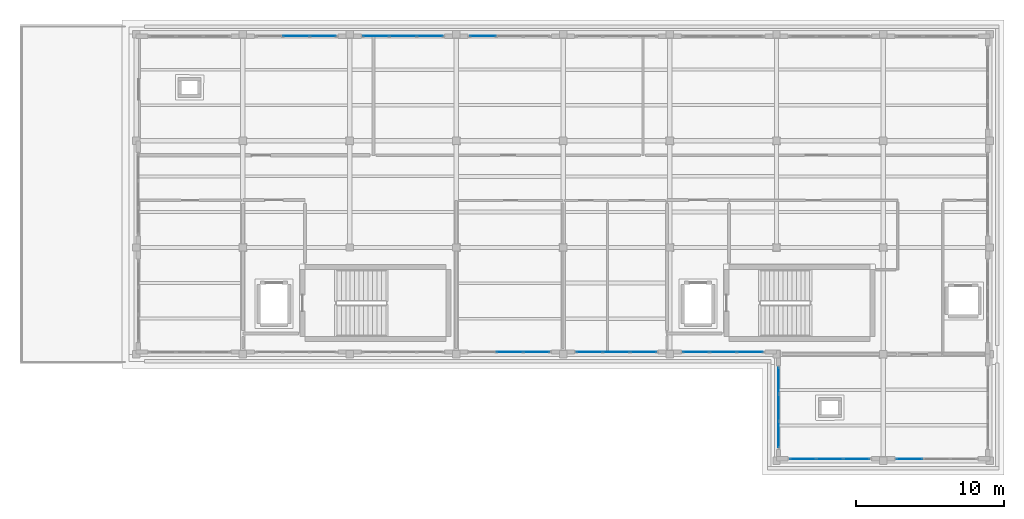
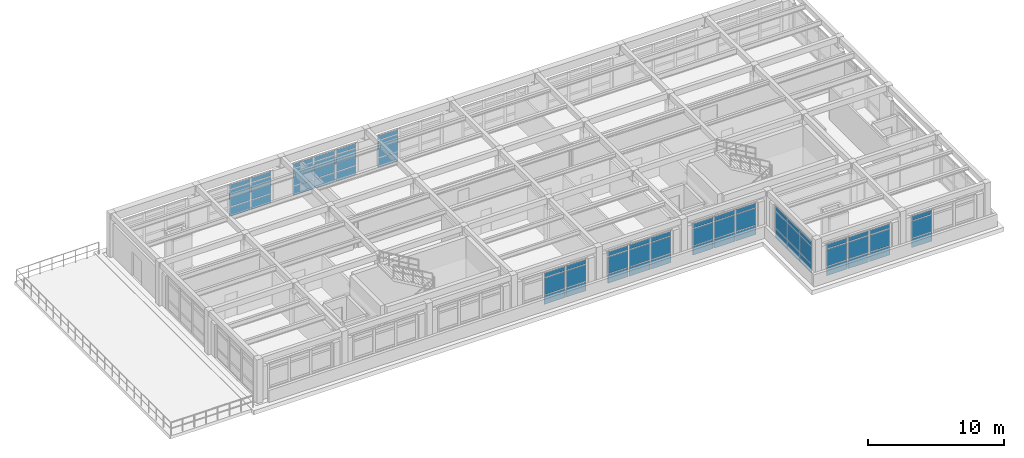
# One storey, part 11 of 18: 63 plates, 9 elements without a shape of their own.
"""IFC4 building model written with IfcOpenShell, lengths in metres."""

from ifc_helpers import new_model, si_unit, direction, frame, origin, origin_2d, place, context, subcontext, project, spatial, rectangle, extrude, material, layer, layer_set, type_object, element, aggregate, save


model = new_model("IFC4")

# Units and contexts
model_context = context("Model", 3, precision=1e-05, world=origin(), true_north=direction((0.0, 1.0)))
body_context = subcontext(model_context, "Body", "Model", "MODEL_VIEW")
ifc_project = project(units=[si_unit("LENGTHUNIT", "METRE"), si_unit("AREAUNIT", "SQUARE_METRE"), si_unit("VOLUMEUNIT", "CUBIC_METRE"), si_unit("PLANEANGLEUNIT", "RADIAN"), si_unit("MASSUNIT", "GRAM", prefix="KILO")], contexts=[model_context])

# Site, building, storey
site_placement = place(None, origin())
site = spatial("IfcSite", under=ifc_project, at=site_placement, CompositionType="ELEMENT")
building_placement = place(site_placement, origin())
building = spatial("IfcBuilding", under=site, at=building_placement, Name="Solenvale Faculty of Natural Sciences", CompositionType="ELEMENT")
storey_placement = place(building_placement, frame((0.0, 0.0, 39.60009765625)))
storey = spatial("IfcBuildingStorey", under=building, at=storey_placement, Name="L09", CompositionType="ELEMENT", Elevation=39.60009765625)

# Curtain wall, plates
ifc_material_1 = material(Name="Anodised bronze aluminium", Category="aluminium")
ifc_layer_1 = layer(ifc_material_1, 0.179931640625)
ifc_layer_set_1 = layer_set([ifc_layer_1], Name="Anodised bronze aluminium")
curtain_wall_type = type_object("IfcCurtainWallType", Name="CW-TWR-MOD", PredefinedType="USERDEFINED", material=ifc_layer_set_1)
curtain_wall_1_placement = place(storey_placement, origin())
curtain_wall_1 = element("IfcCurtainWall", 1, at=curtain_wall_1_placement, inside=storey, type_object=curtain_wall_type, Name="L09 Curtain Wall CW-L09-P1-E5-B1", ObjectType="UNITISED CURTAIN WALL", PredefinedType="USERDEFINED")
ifc_material_2 = material(Name="North-light skylight glass", Category="glass")
ifc_layer_2 = layer(ifc_material_2, 0.028076171875)
ifc_layer_set_2 = layer_set([ifc_layer_2], Name="North-light skylight glass")
plate_type_1 = type_object("IfcPlateType", Name="CWP-PNL-28", PredefinedType="CURTAIN_PANEL", material=ifc_layer_set_2)
plate_1_placement = place(storey_placement, frame((136.9423828125, 91.814697265625, 0.074951171875), z_axis=(0.0, 0.0, 1.0), x_axis=(0.0, -1.0, 0.0)))
plate_1 = element("IfcPlate", 2, at=plate_1_placement, type_object=plate_type_1, Name="CW-04 panel 1.1", PredefinedType="CURTAIN_PANEL", context=body_context, shape_type="SweptSolid", body=[
    extrude(rectangle(XDim=1.720947265625, YDim=0.028076171875, at=origin_2d()), origin(), (0.0, 0.0, 1.0), 0.78759765625),
])
plate_2_placement = place(storey_placement, frame((136.9423828125, 91.814697265625, 0.9375), z_axis=(0.0, 0.0, 1.0), x_axis=(0.0, -1.0, 0.0)))
plate_2 = element("IfcPlate", 3, at=plate_2_placement, type_object=plate_type_1, Name="CW-04 panel 1.2", PredefinedType="CURTAIN_PANEL", context=body_context, shape_type="SweptSolid", body=[
    extrude(rectangle(XDim=1.720947265625, YDim=0.028076171875, at=origin_2d()), origin(), (0.0, 0.0, 1.0), 1.485107421875),
])
plate_3_placement = place(storey_placement, frame((136.9423828125, 91.814697265625, 2.49755859375), z_axis=(0.0, 0.0, 1.0), x_axis=(0.0, -1.0, 0.0)))
plate_3 = element("IfcPlate", 4, at=plate_3_placement, type_object=plate_type_1, Name="CW-04 panel 1.3", PredefinedType="CURTAIN_PANEL", context=body_context, shape_type="SweptSolid", body=[
    extrude(rectangle(XDim=1.720947265625, YDim=0.028076171875, at=origin_2d()), origin(), (0.0, 0.0, 1.0), 0.387451171875),
])
plate_4_placement = place(storey_placement, frame((136.9423828125, 90.0, 0.074951171875), z_axis=(0.0, 0.0, 1.0), x_axis=(0.0, -1.0, 0.0)))
plate_4 = element("IfcPlate", 5, at=plate_4_placement, type_object=plate_type_1, Name="CW-04 panel 2.1", PredefinedType="CURTAIN_PANEL", context=body_context, shape_type="SweptSolid", body=[
    extrude(rectangle(XDim=1.75830078125, YDim=0.028076171875, at=origin_2d()), origin(), (0.0, 0.0, 1.0), 0.78759765625),
])
plate_5_placement = place(storey_placement, frame((136.9423828125, 90.0, 0.9375), z_axis=(0.0, 0.0, 1.0), x_axis=(0.0, -1.0, 0.0)))
plate_5 = element("IfcPlate", 6, at=plate_5_placement, type_object=plate_type_1, Name="CW-04 panel 2.2", PredefinedType="CURTAIN_PANEL", context=body_context, shape_type="SweptSolid", body=[
    extrude(rectangle(XDim=1.75830078125, YDim=0.028076171875, at=origin_2d()), origin(), (0.0, 0.0, 1.0), 1.485107421875),
])
plate_6_placement = place(storey_placement, frame((136.9423828125, 90.0, 2.49755859375), z_axis=(0.0, 0.0, 1.0), x_axis=(0.0, -1.0, 0.0)))
plate_6 = element("IfcPlate", 7, at=plate_6_placement, type_object=plate_type_1, Name="CW-04 panel 2.3", PredefinedType="CURTAIN_PANEL", context=body_context, shape_type="SweptSolid", body=[
    extrude(rectangle(XDim=1.75830078125, YDim=0.028076171875, at=origin_2d()), origin(), (0.0, 0.0, 1.0), 0.387451171875),
])
plate_7_placement = place(storey_placement, frame((136.9423828125, 88.185302734375, 0.074951171875), z_axis=(0.0, 0.0, 1.0), x_axis=(0.0, -1.0, 0.0)))
plate_7 = element("IfcPlate", 8, at=plate_7_placement, type_object=plate_type_1, Name="CW-04 panel 3.1", PredefinedType="CURTAIN_PANEL", context=body_context, shape_type="SweptSolid", body=[
    extrude(rectangle(XDim=1.720947265625, YDim=0.028076171875, at=origin_2d()), origin(), (0.0, 0.0, 1.0), 0.78759765625),
])
plate_8_placement = place(storey_placement, frame((136.9423828125, 88.185302734375, 0.9375), z_axis=(0.0, 0.0, 1.0), x_axis=(0.0, -1.0, 0.0)))
plate_8 = element("IfcPlate", 9, at=plate_8_placement, type_object=plate_type_1, Name="CW-04 panel 3.2", PredefinedType="CURTAIN_PANEL", context=body_context, shape_type="SweptSolid", body=[
    extrude(rectangle(XDim=1.720947265625, YDim=0.028076171875, at=origin_2d()), origin(), (0.0, 0.0, 1.0), 1.485107421875),
])
plate_9_placement = place(storey_placement, frame((136.9423828125, 88.185302734375, 2.49755859375), z_axis=(0.0, 0.0, 1.0), x_axis=(0.0, -1.0, 0.0)))
plate_9 = element("IfcPlate", 10, at=plate_9_placement, type_object=plate_type_1, Name="CW-04 panel 3.3", PredefinedType="CURTAIN_PANEL", context=body_context, shape_type="SweptSolid", body=[
    extrude(rectangle(XDim=1.720947265625, YDim=0.028076171875, at=origin_2d()), origin(), (0.0, 0.0, 1.0), 0.387451171875),
])
aggregate(curtain_wall_1, [plate_1, plate_2, plate_3, plate_4, plate_5, plate_6, plate_7, plate_8, plate_9])

curtain_wall_2_placement = place(storey_placement, origin())
curtain_wall_2 = element("IfcCurtainWall", 11, at=curtain_wall_2_placement, inside=storey, type_object=curtain_wall_type, Name="L09 Curtain Wall CW-L09-P1-E2-B5", ObjectType="UNITISED CURTAIN WALL", PredefinedType="USERDEFINED")
ifc_material_3 = material(Name="Triple low-E insulated glass", Category="glass")
ifc_layer_3 = layer(ifc_material_3, 0.031982421875)
ifc_layer_set_3 = layer_set([ifc_layer_3], Name="Triple low-E insulated glass")
plate_type_2 = type_object("IfcPlateType", Name="CWP-PNL-32", PredefinedType="CURTAIN_PANEL", material=ifc_layer_set_3)
plate_10_placement = place(storey_placement, frame((116.9853515625, 115.0576171875, 0.074951171875), z_axis=(0.0, 0.0, 1.0), x_axis=(-1.0, 0.0, 0.0)))
plate_10 = element("IfcPlate", 12, at=plate_10_placement, type_object=plate_type_2, Name="CW-04 panel 3.1", PredefinedType="CURTAIN_PANEL", context=body_context, shape_type="SweptSolid", body=[
    extrude(rectangle(XDim=1.720947265625, YDim=0.031982421875, at=origin_2d()), origin(), (0.0, 0.0, 1.0), 0.78759765625),
])
plate_11_placement = place(storey_placement, frame((116.9853515625, 115.0576171875, 0.9375), z_axis=(0.0, 0.0, 1.0), x_axis=(-1.0, 0.0, 0.0)))
plate_11 = element("IfcPlate", 13, at=plate_11_placement, type_object=plate_type_2, Name="CW-04 panel 3.2", PredefinedType="CURTAIN_PANEL", context=body_context, shape_type="SweptSolid", body=[
    extrude(rectangle(XDim=1.720947265625, YDim=0.031982421875, at=origin_2d()), origin(), (0.0, 0.0, 1.0), 1.485107421875),
])
plate_12_placement = place(storey_placement, frame((116.9853515625, 115.0576171875, 2.49755859375), z_axis=(0.0, 0.0, 1.0), x_axis=(-1.0, 0.0, 0.0)))
plate_12 = element("IfcPlate", 14, at=plate_12_placement, type_object=plate_type_2, Name="CW-04 panel 3.3", PredefinedType="CURTAIN_PANEL", context=body_context, shape_type="SweptSolid", body=[
    extrude(rectangle(XDim=1.720947265625, YDim=0.031982421875, at=origin_2d()), origin(), (0.0, 0.0, 1.0), 0.387451171875),
])
aggregate(curtain_wall_2, [plate_10, plate_11, plate_12])

curtain_wall_3_placement = place(storey_placement, origin())
curtain_wall_3 = element("IfcCurtainWall", 15, at=curtain_wall_3_placement, inside=storey, type_object=curtain_wall_type, Name="L09 Curtain Wall CW-L09-P1-E6-B1", ObjectType="UNITISED CURTAIN WALL", PredefinedType="USERDEFINED")
plate_13_placement = place(storey_placement, frame((138.58544921875, 86.54248046875, 0.074951171875), z_axis=(0.0, 0.0, 1.0), x_axis=(1.0, 0.0, 0.0)))
plate_13 = element("IfcPlate", 16, at=plate_13_placement, type_object=plate_type_2, Name="CW-04 panel 1.1", PredefinedType="CURTAIN_PANEL", context=body_context, shape_type="SweptSolid", body=[
    extrude(rectangle(XDim=1.720947265625, YDim=0.031982421875, at=origin_2d()), origin(), (0.0, 0.0, 1.0), 0.78759765625),
])
plate_14_placement = place(storey_placement, frame((138.58544921875, 86.54248046875, 0.9375), z_axis=(0.0, 0.0, 1.0), x_axis=(1.0, 0.0, 0.0)))
plate_14 = element("IfcPlate", 17, at=plate_14_placement, type_object=plate_type_2, Name="CW-04 panel 1.2", PredefinedType="CURTAIN_PANEL", context=body_context, shape_type="SweptSolid", body=[
    extrude(rectangle(XDim=1.720947265625, YDim=0.031982421875, at=origin_2d()), origin(), (0.0, 0.0, 1.0), 1.485107421875),
])
plate_15_placement = place(storey_placement, frame((138.58544921875, 86.54248046875, 2.49755859375), z_axis=(0.0, 0.0, 1.0), x_axis=(1.0, 0.0, 0.0)))
plate_15 = element("IfcPlate", 18, at=plate_15_placement, type_object=plate_type_2, Name="CW-04 panel 1.3", PredefinedType="CURTAIN_PANEL", context=body_context, shape_type="SweptSolid", body=[
    extrude(rectangle(XDim=1.720947265625, YDim=0.031982421875, at=origin_2d()), origin(), (0.0, 0.0, 1.0), 0.387451171875),
])
plate_16_placement = place(storey_placement, frame((140.39990234375, 86.54248046875, 0.074951171875), z_axis=(0.0, 0.0, 1.0), x_axis=(1.0, 0.0, 0.0)))
plate_16 = element("IfcPlate", 19, at=plate_16_placement, type_object=plate_type_2, Name="CW-04 panel 2.1", PredefinedType="CURTAIN_PANEL", context=body_context, shape_type="SweptSolid", body=[
    extrude(rectangle(XDim=1.75830078125, YDim=0.031982421875, at=origin_2d()), origin(), (0.0, 0.0, 1.0), 0.78759765625),
])
plate_17_placement = place(storey_placement, frame((140.39990234375, 86.54248046875, 0.9375), z_axis=(0.0, 0.0, 1.0), x_axis=(1.0, 0.0, 0.0)))
plate_17 = element("IfcPlate", 20, at=plate_17_placement, type_object=plate_type_2, Name="CW-04 panel 2.2", PredefinedType="CURTAIN_PANEL", context=body_context, shape_type="SweptSolid", body=[
    extrude(rectangle(XDim=1.75830078125, YDim=0.031982421875, at=origin_2d()), origin(), (0.0, 0.0, 1.0), 1.485107421875),
])
plate_18_placement = place(storey_placement, frame((140.39990234375, 86.54248046875, 2.49755859375), z_axis=(0.0, 0.0, 1.0), x_axis=(1.0, 0.0, 0.0)))
plate_18 = element("IfcPlate", 21, at=plate_18_placement, type_object=plate_type_2, Name="CW-04 panel 2.3", PredefinedType="CURTAIN_PANEL", context=body_context, shape_type="SweptSolid", body=[
    extrude(rectangle(XDim=1.75830078125, YDim=0.031982421875, at=origin_2d()), origin(), (0.0, 0.0, 1.0), 0.387451171875),
])
plate_19_placement = place(storey_placement, frame((142.214599609375, 86.54248046875, 0.074951171875), z_axis=(0.0, 0.0, 1.0), x_axis=(1.0, 0.0, 0.0)))
plate_19 = element("IfcPlate", 22, at=plate_19_placement, type_object=plate_type_2, Name="CW-04 panel 3.1", PredefinedType="CURTAIN_PANEL", context=body_context, shape_type="SweptSolid", body=[
    extrude(rectangle(XDim=1.720947265625, YDim=0.031982421875, at=origin_2d()), origin(), (0.0, 0.0, 1.0), 0.78759765625),
])
plate_20_placement = place(storey_placement, frame((142.214599609375, 86.54248046875, 0.9375), z_axis=(0.0, 0.0, 1.0), x_axis=(1.0, 0.0, 0.0)))
plate_20 = element("IfcPlate", 23, at=plate_20_placement, type_object=plate_type_2, Name="CW-04 panel 3.2", PredefinedType="CURTAIN_PANEL", context=body_context, shape_type="SweptSolid", body=[
    extrude(rectangle(XDim=1.720947265625, YDim=0.031982421875, at=origin_2d()), origin(), (0.0, 0.0, 1.0), 1.485107421875),
])
plate_21_placement = place(storey_placement, frame((142.214599609375, 86.54248046875, 2.49755859375), z_axis=(0.0, 0.0, 1.0), x_axis=(1.0, 0.0, 0.0)))
plate_21 = element("IfcPlate", 24, at=plate_21_placement, type_object=plate_type_2, Name="CW-04 panel 3.3", PredefinedType="CURTAIN_PANEL", context=body_context, shape_type="SweptSolid", body=[
    extrude(rectangle(XDim=1.720947265625, YDim=0.031982421875, at=origin_2d()), origin(), (0.0, 0.0, 1.0), 0.387451171875),
])
aggregate(curtain_wall_3, [plate_13, plate_14, plate_15, plate_16, plate_17, plate_18, plate_19, plate_20, plate_21])

curtain_wall_4_placement = place(storey_placement, origin())
curtain_wall_4 = element("IfcCurtainWall", 25, at=curtain_wall_4_placement, inside=storey, type_object=curtain_wall_type, Name="L09 Curtain Wall CW-L09-P1-E2-B6", ObjectType="UNITISED CURTAIN WALL", PredefinedType="USERDEFINED")
ifc_layer_4 = layer(ifc_material_3, 0.035888671875)
ifc_layer_set_4 = layer_set([ifc_layer_4], Name="Triple low-E insulated glass")
plate_type_3 = type_object("IfcPlateType", Name="CWP-PNL-36", PredefinedType="CURTAIN_PANEL", material=ifc_layer_set_4)
plate_22_placement = place(storey_placement, frame((113.41455078125, 115.0576171875, 0.074951171875), z_axis=(0.0, 0.0, 1.0), x_axis=(-1.0, 0.0, 0.0)))
plate_22 = element("IfcPlate", 26, at=plate_22_placement, type_object=plate_type_3, Name="CW-04 panel 1.1", PredefinedType="CURTAIN_PANEL", context=body_context, shape_type="SweptSolid", body=[
    extrude(rectangle(XDim=1.720947265625, YDim=0.035888671875, at=origin_2d()), origin(), (0.0, 0.0, 1.0), 0.78759765625),
])
plate_23_placement = place(storey_placement, frame((113.41455078125, 115.0576171875, 0.9375), z_axis=(0.0, 0.0, 1.0), x_axis=(-1.0, 0.0, 0.0)))
plate_23 = element("IfcPlate", 27, at=plate_23_placement, type_object=plate_type_3, Name="CW-04 panel 1.2", PredefinedType="CURTAIN_PANEL", context=body_context, shape_type="SweptSolid", body=[
    extrude(rectangle(XDim=1.720947265625, YDim=0.035888671875, at=origin_2d()), origin(), (0.0, 0.0, 1.0), 1.485107421875),
])
plate_24_placement = place(storey_placement, frame((113.41455078125, 115.0576171875, 2.49755859375), z_axis=(0.0, 0.0, 1.0), x_axis=(-1.0, 0.0, 0.0)))
plate_24 = element("IfcPlate", 28, at=plate_24_placement, type_object=plate_type_3, Name="CW-04 panel 1.3", PredefinedType="CURTAIN_PANEL", context=body_context, shape_type="SweptSolid", body=[
    extrude(rectangle(XDim=1.720947265625, YDim=0.035888671875, at=origin_2d()), origin(), (0.0, 0.0, 1.0), 0.387451171875),
])
plate_25_placement = place(storey_placement, frame((111.60009765625, 115.0576171875, 0.074951171875), z_axis=(0.0, 0.0, 1.0), x_axis=(-1.0, 0.0, 0.0)))
plate_25 = element("IfcPlate", 29, at=plate_25_placement, type_object=plate_type_3, Name="CW-04 panel 2.1", PredefinedType="CURTAIN_PANEL", context=body_context, shape_type="SweptSolid", body=[
    extrude(rectangle(XDim=1.75830078125, YDim=0.035888671875, at=origin_2d()), origin(), (0.0, 0.0, 1.0), 0.78759765625),
])
plate_26_placement = place(storey_placement, frame((111.60009765625, 115.0576171875, 0.9375), z_axis=(0.0, 0.0, 1.0), x_axis=(-1.0, 0.0, 0.0)))
plate_26 = element("IfcPlate", 30, at=plate_26_placement, type_object=plate_type_3, Name="CW-04 panel 2.2", PredefinedType="CURTAIN_PANEL", context=body_context, shape_type="SweptSolid", body=[
    extrude(rectangle(XDim=1.75830078125, YDim=0.035888671875, at=origin_2d()), origin(), (0.0, 0.0, 1.0), 1.485107421875),
])
plate_27_placement = place(storey_placement, frame((111.60009765625, 115.0576171875, 2.49755859375), z_axis=(0.0, 0.0, 1.0), x_axis=(-1.0, 0.0, 0.0)))
plate_27 = element("IfcPlate", 31, at=plate_27_placement, type_object=plate_type_3, Name="CW-04 panel 2.3", PredefinedType="CURTAIN_PANEL", context=body_context, shape_type="SweptSolid", body=[
    extrude(rectangle(XDim=1.75830078125, YDim=0.035888671875, at=origin_2d()), origin(), (0.0, 0.0, 1.0), 0.387451171875),
])
plate_28_placement = place(storey_placement, frame((109.785400390625, 115.0576171875, 0.074951171875), z_axis=(0.0, 0.0, 1.0), x_axis=(-1.0, 0.0, 0.0)))
plate_28 = element("IfcPlate", 32, at=plate_28_placement, type_object=plate_type_3, Name="CW-04 panel 3.1", PredefinedType="CURTAIN_PANEL", context=body_context, shape_type="SweptSolid", body=[
    extrude(rectangle(XDim=1.720947265625, YDim=0.035888671875, at=origin_2d()), origin(), (0.0, 0.0, 1.0), 0.78759765625),
])
plate_29_placement = place(storey_placement, frame((109.785400390625, 115.0576171875, 0.9375), z_axis=(0.0, 0.0, 1.0), x_axis=(-1.0, 0.0, 0.0)))
plate_29 = element("IfcPlate", 33, at=plate_29_placement, type_object=plate_type_3, Name="CW-04 panel 3.2", PredefinedType="CURTAIN_PANEL", context=body_context, shape_type="SweptSolid", body=[
    extrude(rectangle(XDim=1.720947265625, YDim=0.035888671875, at=origin_2d()), origin(), (0.0, 0.0, 1.0), 1.485107421875),
])
plate_30_placement = place(storey_placement, frame((109.785400390625, 115.0576171875, 2.49755859375), z_axis=(0.0, 0.0, 1.0), x_axis=(-1.0, 0.0, 0.0)))
plate_30 = element("IfcPlate", 34, at=plate_30_placement, type_object=plate_type_3, Name="CW-04 panel 3.3", PredefinedType="CURTAIN_PANEL", context=body_context, shape_type="SweptSolid", body=[
    extrude(rectangle(XDim=1.720947265625, YDim=0.035888671875, at=origin_2d()), origin(), (0.0, 0.0, 1.0), 0.387451171875),
])
aggregate(curtain_wall_4, [plate_22, plate_23, plate_24, plate_25, plate_26, plate_27, plate_28, plate_29, plate_30])

curtain_wall_5_placement = place(storey_placement, origin())
curtain_wall_5 = element("IfcCurtainWall", 35, at=curtain_wall_5_placement, inside=storey, type_object=curtain_wall_type, Name="L09 Curtain Wall CW-L09-P1-E4-B4", ObjectType="UNITISED CURTAIN WALL", PredefinedType="USERDEFINED")
plate_31_placement = place(storey_placement, frame((118.800048828125, 93.742431640625, 0.074951171875), z_axis=(0.0, 0.0, 1.0), x_axis=(1.0, 0.0, 0.0)))
plate_31 = element("IfcPlate", 36, at=plate_31_placement, type_object=plate_type_3, Name="CW-04 panel 2.1", PredefinedType="CURTAIN_PANEL", context=body_context, shape_type="SweptSolid", body=[
    extrude(rectangle(XDim=1.75830078125, YDim=0.035888671875, at=origin_2d()), origin(), (0.0, 0.0, 1.0), 0.78759765625),
])
plate_32_placement = place(storey_placement, frame((118.800048828125, 93.742431640625, 0.9375), z_axis=(0.0, 0.0, 1.0), x_axis=(1.0, 0.0, 0.0)))
plate_32 = element("IfcPlate", 37, at=plate_32_placement, type_object=plate_type_3, Name="CW-04 panel 2.2", PredefinedType="CURTAIN_PANEL", context=body_context, shape_type="SweptSolid", body=[
    extrude(rectangle(XDim=1.75830078125, YDim=0.035888671875, at=origin_2d()), origin(), (0.0, 0.0, 1.0), 1.485107421875),
])
plate_33_placement = place(storey_placement, frame((118.800048828125, 93.742431640625, 2.49755859375), z_axis=(0.0, 0.0, 1.0), x_axis=(1.0, 0.0, 0.0)))
plate_33 = element("IfcPlate", 38, at=plate_33_placement, type_object=plate_type_3, Name="CW-04 panel 2.3", PredefinedType="CURTAIN_PANEL", context=body_context, shape_type="SweptSolid", body=[
    extrude(rectangle(XDim=1.75830078125, YDim=0.035888671875, at=origin_2d()), origin(), (0.0, 0.0, 1.0), 0.387451171875),
])
plate_34_placement = place(storey_placement, frame((120.614501953125, 93.742431640625, 0.074951171875), z_axis=(0.0, 0.0, 1.0), x_axis=(1.0, 0.0, 0.0)))
plate_34 = element("IfcPlate", 39, at=plate_34_placement, type_object=plate_type_3, Name="CW-04 panel 3.1", PredefinedType="CURTAIN_PANEL", context=body_context, shape_type="SweptSolid", body=[
    extrude(rectangle(XDim=1.720947265625, YDim=0.035888671875, at=origin_2d()), origin(), (0.0, 0.0, 1.0), 0.78759765625),
])
plate_35_placement = place(storey_placement, frame((120.614501953125, 93.742431640625, 0.9375), z_axis=(0.0, 0.0, 1.0), x_axis=(1.0, 0.0, 0.0)))
plate_35 = element("IfcPlate", 40, at=plate_35_placement, type_object=plate_type_3, Name="CW-04 panel 3.2", PredefinedType="CURTAIN_PANEL", context=body_context, shape_type="SweptSolid", body=[
    extrude(rectangle(XDim=1.720947265625, YDim=0.035888671875, at=origin_2d()), origin(), (0.0, 0.0, 1.0), 1.485107421875),
])
plate_36_placement = place(storey_placement, frame((120.614501953125, 93.742431640625, 2.49755859375), z_axis=(0.0, 0.0, 1.0), x_axis=(1.0, 0.0, 0.0)))
plate_36 = element("IfcPlate", 41, at=plate_36_placement, type_object=plate_type_3, Name="CW-04 panel 3.3", PredefinedType="CURTAIN_PANEL", context=body_context, shape_type="SweptSolid", body=[
    extrude(rectangle(XDim=1.720947265625, YDim=0.035888671875, at=origin_2d()), origin(), (0.0, 0.0, 1.0), 0.387451171875),
])
aggregate(curtain_wall_5, [plate_31, plate_32, plate_33, plate_34, plate_35, plate_36])

curtain_wall_6_placement = place(storey_placement, origin())
curtain_wall_6 = element("IfcCurtainWall", 42, at=curtain_wall_6_placement, inside=storey, type_object=curtain_wall_type, Name="L09 Curtain Wall CW-L09-P1-E6-B2", ObjectType="UNITISED CURTAIN WALL", PredefinedType="USERDEFINED")
plate_37_placement = place(storey_placement, frame((145.785400390625, 86.54248046875, 0.074951171875), z_axis=(0.0, 0.0, 1.0), x_axis=(1.0, 0.0, 0.0)))
plate_37 = element("IfcPlate", 43, at=plate_37_placement, type_object=plate_type_3, Name="CW-04 panel 1.1", PredefinedType="CURTAIN_PANEL", context=body_context, shape_type="SweptSolid", body=[
    extrude(rectangle(XDim=1.720947265625, YDim=0.035888671875, at=origin_2d()), origin(), (0.0, 0.0, 1.0), 0.78759765625),
])
plate_38_placement = place(storey_placement, frame((145.785400390625, 86.54248046875, 0.9375), z_axis=(0.0, 0.0, 1.0), x_axis=(1.0, 0.0, 0.0)))
plate_38 = element("IfcPlate", 44, at=plate_38_placement, type_object=plate_type_3, Name="CW-04 panel 1.2", PredefinedType="CURTAIN_PANEL", context=body_context, shape_type="SweptSolid", body=[
    extrude(rectangle(XDim=1.720947265625, YDim=0.035888671875, at=origin_2d()), origin(), (0.0, 0.0, 1.0), 1.485107421875),
])
plate_39_placement = place(storey_placement, frame((145.785400390625, 86.54248046875, 2.49755859375), z_axis=(0.0, 0.0, 1.0), x_axis=(1.0, 0.0, 0.0)))
plate_39 = element("IfcPlate", 45, at=plate_39_placement, type_object=plate_type_3, Name="CW-04 panel 1.3", PredefinedType="CURTAIN_PANEL", context=body_context, shape_type="SweptSolid", body=[
    extrude(rectangle(XDim=1.720947265625, YDim=0.035888671875, at=origin_2d()), origin(), (0.0, 0.0, 1.0), 0.387451171875),
])
aggregate(curtain_wall_6, [plate_37, plate_38, plate_39])

curtain_wall_7_placement = place(storey_placement, origin())
curtain_wall_7 = element("IfcCurtainWall", 46, at=curtain_wall_7_placement, inside=storey, type_object=curtain_wall_type, Name="L09 Curtain Wall CW-L09-P1-E2-B7", ObjectType="UNITISED CURTAIN WALL", PredefinedType="USERDEFINED")
ifc_layer_5 = layer(ifc_material_3, 0.0400390625)
ifc_layer_set_5 = layer_set([ifc_layer_5], Name="Triple low-E insulated glass")
plate_type_4 = type_object("IfcPlateType", Name="CWP-PNL-40", PredefinedType="CURTAIN_PANEL", material=ifc_layer_set_5)
plate_40_placement = place(storey_placement, frame((106.214599609375, 115.0576171875, 0.074951171875), z_axis=(0.0, 0.0, 1.0), x_axis=(-1.0, 0.0, 0.0)))
plate_40 = element("IfcPlate", 47, at=plate_40_placement, type_object=plate_type_4, Name="CW-04 panel 1.1", PredefinedType="CURTAIN_PANEL", context=body_context, shape_type="SweptSolid", body=[
    extrude(rectangle(XDim=1.720947265625, YDim=0.0400390625, at=origin_2d()), origin(), (0.0, 0.0, 1.0), 0.78759765625),
])
plate_41_placement = place(storey_placement, frame((106.214599609375, 115.0576171875, 0.9375), z_axis=(0.0, 0.0, 1.0), x_axis=(-1.0, 0.0, 0.0)))
plate_41 = element("IfcPlate", 48, at=plate_41_placement, type_object=plate_type_4, Name="CW-04 panel 1.2", PredefinedType="CURTAIN_PANEL", context=body_context, shape_type="SweptSolid", body=[
    extrude(rectangle(XDim=1.720947265625, YDim=0.0400390625, at=origin_2d()), origin(), (0.0, 0.0, 1.0), 1.485107421875),
])
plate_42_placement = place(storey_placement, frame((106.214599609375, 115.0576171875, 2.49755859375), z_axis=(0.0, 0.0, 1.0), x_axis=(-1.0, 0.0, 0.0)))
plate_42 = element("IfcPlate", 49, at=plate_42_placement, type_object=plate_type_4, Name="CW-04 panel 1.3", PredefinedType="CURTAIN_PANEL", context=body_context, shape_type="SweptSolid", body=[
    extrude(rectangle(XDim=1.720947265625, YDim=0.0400390625, at=origin_2d()), origin(), (0.0, 0.0, 1.0), 0.387451171875),
])
plate_43_placement = place(storey_placement, frame((104.39990234375, 115.0576171875, 0.074951171875), z_axis=(0.0, 0.0, 1.0), x_axis=(-1.0, 0.0, 0.0)))
plate_43 = element("IfcPlate", 50, at=plate_43_placement, type_object=plate_type_4, Name="CW-04 panel 2.1", PredefinedType="CURTAIN_PANEL", context=body_context, shape_type="SweptSolid", body=[
    extrude(rectangle(XDim=1.75830078125, YDim=0.0400390625, at=origin_2d()), origin(), (0.0, 0.0, 1.0), 0.78759765625),
])
plate_44_placement = place(storey_placement, frame((104.39990234375, 115.0576171875, 0.9375), z_axis=(0.0, 0.0, 1.0), x_axis=(-1.0, 0.0, 0.0)))
plate_44 = element("IfcPlate", 51, at=plate_44_placement, type_object=plate_type_4, Name="CW-04 panel 2.2", PredefinedType="CURTAIN_PANEL", context=body_context, shape_type="SweptSolid", body=[
    extrude(rectangle(XDim=1.75830078125, YDim=0.0400390625, at=origin_2d()), origin(), (0.0, 0.0, 1.0), 1.485107421875),
])
plate_45_placement = place(storey_placement, frame((104.39990234375, 115.0576171875, 2.49755859375), z_axis=(0.0, 0.0, 1.0), x_axis=(-1.0, 0.0, 0.0)))
plate_45 = element("IfcPlate", 52, at=plate_45_placement, type_object=plate_type_4, Name="CW-04 panel 2.3", PredefinedType="CURTAIN_PANEL", context=body_context, shape_type="SweptSolid", body=[
    extrude(rectangle(XDim=1.75830078125, YDim=0.0400390625, at=origin_2d()), origin(), (0.0, 0.0, 1.0), 0.387451171875),
])
aggregate(curtain_wall_7, [plate_40, plate_41, plate_42, plate_43, plate_44, plate_45])

curtain_wall_8_placement = place(storey_placement, origin())
curtain_wall_8 = element("IfcCurtainWall", 53, at=curtain_wall_8_placement, inside=storey, type_object=curtain_wall_type, Name="L09 Curtain Wall CW-L09-P1-E4-B5", ObjectType="UNITISED CURTAIN WALL", PredefinedType="USERDEFINED")
plate_46_placement = place(storey_placement, frame((124.185302734375, 93.742431640625, 0.074951171875), z_axis=(0.0, 0.0, 1.0), x_axis=(1.0, 0.0, 0.0)))
plate_46 = element("IfcPlate", 54, at=plate_46_placement, type_object=plate_type_4, Name="CW-04 panel 1.1", PredefinedType="CURTAIN_PANEL", context=body_context, shape_type="SweptSolid", body=[
    extrude(rectangle(XDim=1.720947265625, YDim=0.0400390625, at=origin_2d()), origin(), (0.0, 0.0, 1.0), 0.78759765625),
])
plate_47_placement = place(storey_placement, frame((124.185302734375, 93.742431640625, 0.9375), z_axis=(0.0, 0.0, 1.0), x_axis=(1.0, 0.0, 0.0)))
plate_47 = element("IfcPlate", 55, at=plate_47_placement, type_object=plate_type_4, Name="CW-04 panel 1.2", PredefinedType="CURTAIN_PANEL", context=body_context, shape_type="SweptSolid", body=[
    extrude(rectangle(XDim=1.720947265625, YDim=0.0400390625, at=origin_2d()), origin(), (0.0, 0.0, 1.0), 1.485107421875),
])
plate_48_placement = place(storey_placement, frame((124.185302734375, 93.742431640625, 2.49755859375), z_axis=(0.0, 0.0, 1.0), x_axis=(1.0, 0.0, 0.0)))
plate_48 = element("IfcPlate", 56, at=plate_48_placement, type_object=plate_type_4, Name="CW-04 panel 1.3", PredefinedType="CURTAIN_PANEL", context=body_context, shape_type="SweptSolid", body=[
    extrude(rectangle(XDim=1.720947265625, YDim=0.0400390625, at=origin_2d()), origin(), (0.0, 0.0, 1.0), 0.387451171875),
])
plate_49_placement = place(storey_placement, frame((126.0, 93.742431640625, 0.074951171875), z_axis=(0.0, 0.0, 1.0), x_axis=(1.0, 0.0, 0.0)))
plate_49 = element("IfcPlate", 57, at=plate_49_placement, type_object=plate_type_4, Name="CW-04 panel 2.1", PredefinedType="CURTAIN_PANEL", context=body_context, shape_type="SweptSolid", body=[
    extrude(rectangle(XDim=1.75830078125, YDim=0.0400390625, at=origin_2d()), origin(), (0.0, 0.0, 1.0), 0.78759765625),
])
plate_50_placement = place(storey_placement, frame((126.0, 93.742431640625, 0.9375), z_axis=(0.0, 0.0, 1.0), x_axis=(1.0, 0.0, 0.0)))
plate_50 = element("IfcPlate", 58, at=plate_50_placement, type_object=plate_type_4, Name="CW-04 panel 2.2", PredefinedType="CURTAIN_PANEL", context=body_context, shape_type="SweptSolid", body=[
    extrude(rectangle(XDim=1.75830078125, YDim=0.0400390625, at=origin_2d()), origin(), (0.0, 0.0, 1.0), 1.485107421875),
])
plate_51_placement = place(storey_placement, frame((126.0, 93.742431640625, 2.49755859375), z_axis=(0.0, 0.0, 1.0), x_axis=(1.0, 0.0, 0.0)))
plate_51 = element("IfcPlate", 59, at=plate_51_placement, type_object=plate_type_4, Name="CW-04 panel 2.3", PredefinedType="CURTAIN_PANEL", context=body_context, shape_type="SweptSolid", body=[
    extrude(rectangle(XDim=1.75830078125, YDim=0.0400390625, at=origin_2d()), origin(), (0.0, 0.0, 1.0), 0.387451171875),
])
plate_52_placement = place(storey_placement, frame((127.814697265625, 93.742431640625, 0.074951171875), z_axis=(0.0, 0.0, 1.0), x_axis=(1.0, 0.0, 0.0)))
plate_52 = element("IfcPlate", 60, at=plate_52_placement, type_object=plate_type_4, Name="CW-04 panel 3.1", PredefinedType="CURTAIN_PANEL", context=body_context, shape_type="SweptSolid", body=[
    extrude(rectangle(XDim=1.720947265625, YDim=0.0400390625, at=origin_2d()), origin(), (0.0, 0.0, 1.0), 0.78759765625),
])
plate_53_placement = place(storey_placement, frame((127.814697265625, 93.742431640625, 0.9375), z_axis=(0.0, 0.0, 1.0), x_axis=(1.0, 0.0, 0.0)))
plate_53 = element("IfcPlate", 61, at=plate_53_placement, type_object=plate_type_4, Name="CW-04 panel 3.2", PredefinedType="CURTAIN_PANEL", context=body_context, shape_type="SweptSolid", body=[
    extrude(rectangle(XDim=1.720947265625, YDim=0.0400390625, at=origin_2d()), origin(), (0.0, 0.0, 1.0), 1.485107421875),
])
plate_54_placement = place(storey_placement, frame((127.814697265625, 93.742431640625, 2.49755859375), z_axis=(0.0, 0.0, 1.0), x_axis=(1.0, 0.0, 0.0)))
plate_54 = element("IfcPlate", 62, at=plate_54_placement, type_object=plate_type_4, Name="CW-04 panel 3.3", PredefinedType="CURTAIN_PANEL", context=body_context, shape_type="SweptSolid", body=[
    extrude(rectangle(XDim=1.720947265625, YDim=0.0400390625, at=origin_2d()), origin(), (0.0, 0.0, 1.0), 0.387451171875),
])
aggregate(curtain_wall_8, [plate_46, plate_47, plate_48, plate_49, plate_50, plate_51, plate_52, plate_53, plate_54])

curtain_wall_9_placement = place(storey_placement, origin())
curtain_wall_9 = element("IfcCurtainWall", 63, at=curtain_wall_9_placement, inside=storey, type_object=curtain_wall_type, Name="L09 Curtain Wall CW-L09-P1-E4-B6", ObjectType="UNITISED CURTAIN WALL", PredefinedType="USERDEFINED")
ifc_layer_6 = layer(ifc_material_3, 0.0439453125)
ifc_layer_set_6 = layer_set([ifc_layer_6], Name="Triple low-E insulated glass")
plate_type_5 = type_object("IfcPlateType", Name="CWP-PNL-44", PredefinedType="CURTAIN_PANEL", material=ifc_layer_set_6)
plate_55_placement = place(storey_placement, frame((131.385498046875, 93.742431640625, 0.074951171875), z_axis=(0.0, 0.0, 1.0), x_axis=(1.0, 0.0, 0.0)))
plate_55 = element("IfcPlate", 64, at=plate_55_placement, type_object=plate_type_5, Name="CW-04 panel 1.1", PredefinedType="CURTAIN_PANEL", context=body_context, shape_type="SweptSolid", body=[
    extrude(rectangle(XDim=1.720947265625, YDim=0.0439453125, at=origin_2d()), origin(), (0.0, 0.0, 1.0), 0.78759765625),
])
plate_56_placement = place(storey_placement, frame((131.385498046875, 93.742431640625, 0.9375), z_axis=(0.0, 0.0, 1.0), x_axis=(1.0, 0.0, 0.0)))
plate_56 = element("IfcPlate", 65, at=plate_56_placement, type_object=plate_type_5, Name="CW-04 panel 1.2", PredefinedType="CURTAIN_PANEL", context=body_context, shape_type="SweptSolid", body=[
    extrude(rectangle(XDim=1.720947265625, YDim=0.0439453125, at=origin_2d()), origin(), (0.0, 0.0, 1.0), 1.485107421875),
])
plate_57_placement = place(storey_placement, frame((131.385498046875, 93.742431640625, 2.49755859375), z_axis=(0.0, 0.0, 1.0), x_axis=(1.0, 0.0, 0.0)))
plate_57 = element("IfcPlate", 66, at=plate_57_placement, type_object=plate_type_5, Name="CW-04 panel 1.3", PredefinedType="CURTAIN_PANEL", context=body_context, shape_type="SweptSolid", body=[
    extrude(rectangle(XDim=1.720947265625, YDim=0.0439453125, at=origin_2d()), origin(), (0.0, 0.0, 1.0), 0.387451171875),
])
plate_58_placement = place(storey_placement, frame((133.199951171875, 93.742431640625, 0.074951171875), z_axis=(0.0, 0.0, 1.0), x_axis=(1.0, 0.0, 0.0)))
plate_58 = element("IfcPlate", 67, at=plate_58_placement, type_object=plate_type_5, Name="CW-04 panel 2.1", PredefinedType="CURTAIN_PANEL", context=body_context, shape_type="SweptSolid", body=[
    extrude(rectangle(XDim=1.75830078125, YDim=0.0439453125, at=origin_2d()), origin(), (0.0, 0.0, 1.0), 0.78759765625),
])
plate_59_placement = place(storey_placement, frame((133.199951171875, 93.742431640625, 0.9375), z_axis=(0.0, 0.0, 1.0), x_axis=(1.0, 0.0, 0.0)))
plate_59 = element("IfcPlate", 68, at=plate_59_placement, type_object=plate_type_5, Name="CW-04 panel 2.2", PredefinedType="CURTAIN_PANEL", context=body_context, shape_type="SweptSolid", body=[
    extrude(rectangle(XDim=1.75830078125, YDim=0.0439453125, at=origin_2d()), origin(), (0.0, 0.0, 1.0), 1.485107421875),
])
plate_60_placement = place(storey_placement, frame((133.199951171875, 93.742431640625, 2.49755859375), z_axis=(0.0, 0.0, 1.0), x_axis=(1.0, 0.0, 0.0)))
plate_60 = element("IfcPlate", 69, at=plate_60_placement, type_object=plate_type_5, Name="CW-04 panel 2.3", PredefinedType="CURTAIN_PANEL", context=body_context, shape_type="SweptSolid", body=[
    extrude(rectangle(XDim=1.75830078125, YDim=0.0439453125, at=origin_2d()), origin(), (0.0, 0.0, 1.0), 0.387451171875),
])
plate_61_placement = place(storey_placement, frame((135.0146484375, 93.742431640625, 0.074951171875), z_axis=(0.0, 0.0, 1.0), x_axis=(1.0, 0.0, 0.0)))
plate_61 = element("IfcPlate", 70, at=plate_61_placement, type_object=plate_type_5, Name="CW-04 panel 3.1", PredefinedType="CURTAIN_PANEL", context=body_context, shape_type="SweptSolid", body=[
    extrude(rectangle(XDim=1.720947265625, YDim=0.0439453125, at=origin_2d()), origin(), (0.0, 0.0, 1.0), 0.78759765625),
])
plate_62_placement = place(storey_placement, frame((135.0146484375, 93.742431640625, 0.9375), z_axis=(0.0, 0.0, 1.0), x_axis=(1.0, 0.0, 0.0)))
plate_62 = element("IfcPlate", 71, at=plate_62_placement, type_object=plate_type_5, Name="CW-04 panel 3.2", PredefinedType="CURTAIN_PANEL", context=body_context, shape_type="SweptSolid", body=[
    extrude(rectangle(XDim=1.720947265625, YDim=0.0439453125, at=origin_2d()), origin(), (0.0, 0.0, 1.0), 1.485107421875),
])
plate_63_placement = place(storey_placement, frame((135.0146484375, 93.742431640625, 2.49755859375), z_axis=(0.0, 0.0, 1.0), x_axis=(1.0, 0.0, 0.0)))
plate_63 = element("IfcPlate", 72, at=plate_63_placement, type_object=plate_type_5, Name="CW-04 panel 3.3", PredefinedType="CURTAIN_PANEL", context=body_context, shape_type="SweptSolid", body=[
    extrude(rectangle(XDim=1.720947265625, YDim=0.0439453125, at=origin_2d()), origin(), (0.0, 0.0, 1.0), 0.387451171875),
])
aggregate(curtain_wall_9, [plate_55, plate_56, plate_57, plate_58, plate_59, plate_60, plate_61, plate_62, plate_63])

save(model, "model.ifc")
